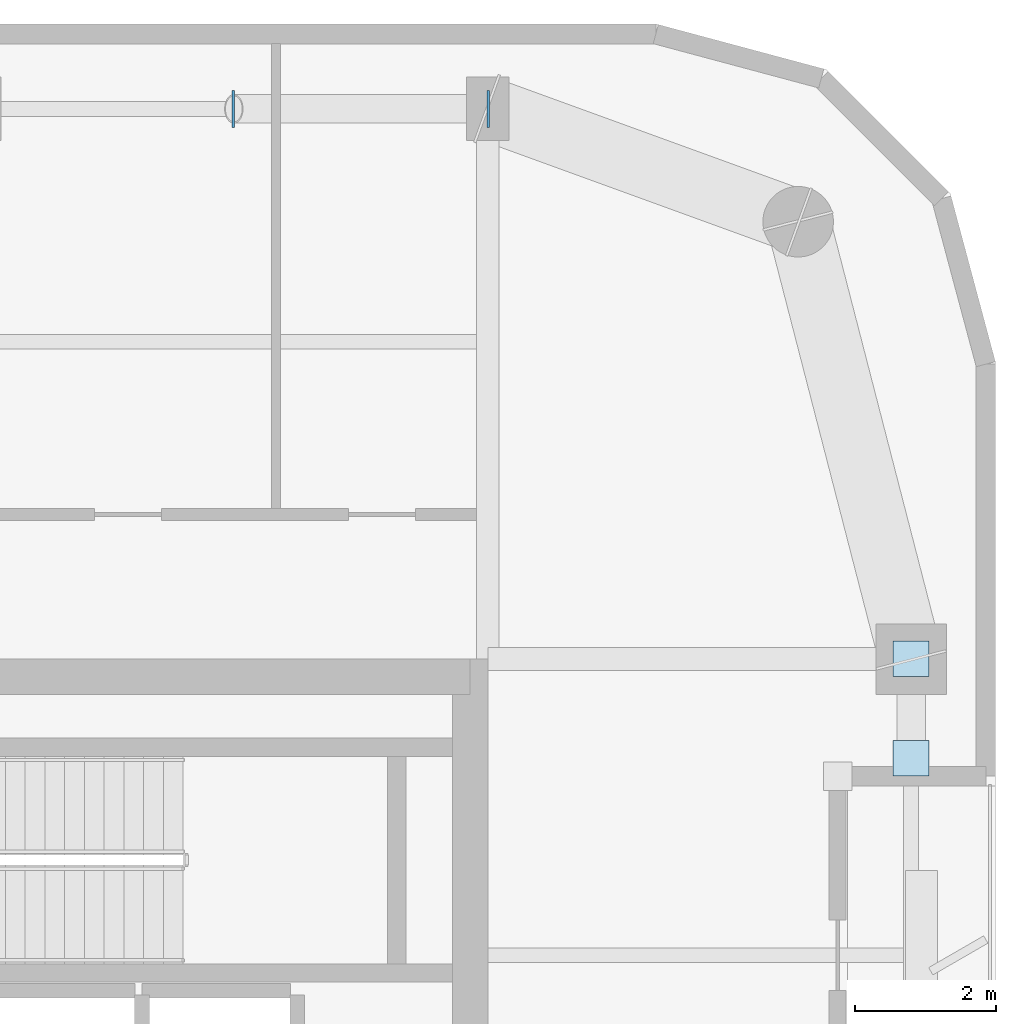
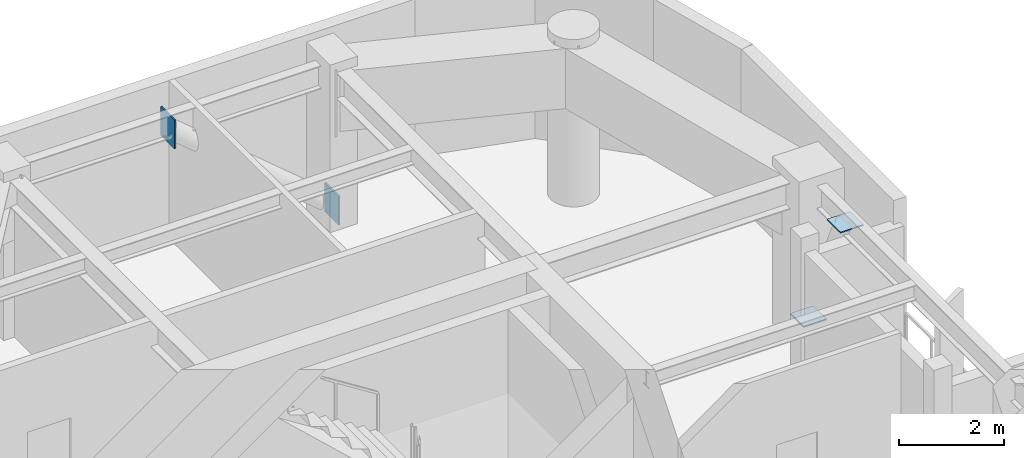
# One storey, part 9 of 15: 4 plates.
"""IFC4 building model written with IfcOpenShell, lengths in metres."""

from ifc_helpers import new_model, si_unit, direction, frame, origin, origin_2d, place, context, subcontext, project, spatial, rectangle, extrude, material, layer, layer_set, type_object, element, save


model = new_model("IFC4")

# Units and contexts
model_context = context("Model", 3, precision=1e-05, world=origin(), true_north=direction((0.0, 1.0)))
body_context = subcontext(model_context, "Body", "Model", "MODEL_VIEW")
ifc_project = project(units=[si_unit("LENGTHUNIT", "METRE"), si_unit("AREAUNIT", "SQUARE_METRE"), si_unit("VOLUMEUNIT", "CUBIC_METRE"), si_unit("PLANEANGLEUNIT", "RADIAN"), si_unit("MASSUNIT", "GRAM", prefix="KILO")], contexts=[model_context])

# Site, building, storey
site_placement = place(None, origin())
site = spatial("IfcSite", under=ifc_project, at=site_placement, CompositionType="ELEMENT")
building_placement = place(site_placement, origin())
building = spatial("IfcBuilding", under=site, at=building_placement, Name="Kiyonajd Concourse Tower", CompositionType="ELEMENT")
storey_placement = place(building_placement, frame((0.0, 0.0, 274.5)))
storey = spatial("IfcBuildingStorey", under=building, at=storey_placement, Name="L69", CompositionType="ELEMENT", Elevation=274.5)

# Plates
ifc_material = material(Name="Steel ASTM A572 Grade 50", Category="steel")
ifc_layer = layer(ifc_material, 0.028076171875)
ifc_layer_set = layer_set([ifc_layer], Name="Steel ASTM A572 Grade 50")
plate_type = type_object("IfcPlateType", Name="PL-CAP-450", PredefinedType="USERDEFINED", material=ifc_layer_set)
for number, where, z_axis, x_axis, name in (
    (1, (63.6083984375, 52.199951171875, -0.04248046875), (0.0, 0.0, 1.0), (1.0, 0.0, 0.0), "L69 Hollow Brace End Cap Plate PBN"),
    (2, (59.99169921875, 52.199951171875, 3.001708984375), (0.0, 0.0, 1.0), (-1.0, 0.0, 0.0), "L69 Hollow Brace Top Cap Plate PBN"),
):
    element("IfcPlate", number, at=place(storey_placement, frame(where, z_axis=z_axis, x_axis=x_axis)), inside=storey, type_object=plate_type, Name=name, ObjectType="CAP PLATE", PredefinedType="USERDEFINED", context=body_context, shape_type="SweptSolid", body=[
        extrude(rectangle(XDim=0.035888671875, YDim=0.52587890625, at=origin_2d()), origin(), (0.0, 0.0, 1.0), 0.6708984375),
    ])
for number, where, z_axis, x_axis, name in (
    (3, (69.60009765625, 44.404541015625, 0.27587890625), (0.0, 0.0, 1.0), (1.0, 0.0, 0.0), "L69 Hollow Brace End Cap Plate PBE"),
    (4, (69.60009765625, 42.995361328125, 3.326171875), (0.0, 0.0, 1.0), (1.0, 0.0, 0.0), "L69 Hollow Brace Top Cap Plate PBE"),
):
    element("IfcPlate", number, at=place(storey_placement, frame(where, z_axis=z_axis, x_axis=x_axis)), inside=storey, type_object=plate_type, Name=name, ObjectType="CAP PLATE", PredefinedType="USERDEFINED", context=body_context, shape_type="SweptSolid", body=[
        extrude(rectangle(XDim=0.506103515625, YDim=0.506103515625, at=origin_2d()), origin(), (0.0, 0.0, 1.0), 0.028076171875),
    ])

save(model, "model.ifc")
